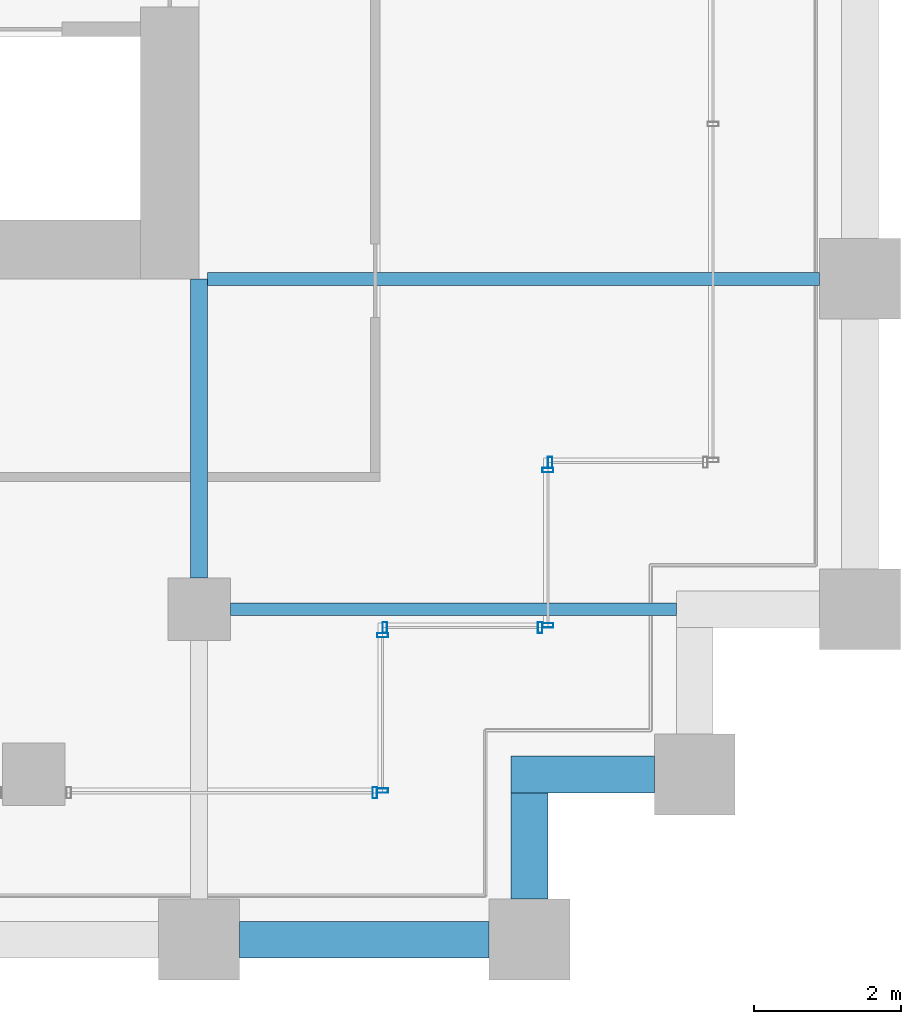
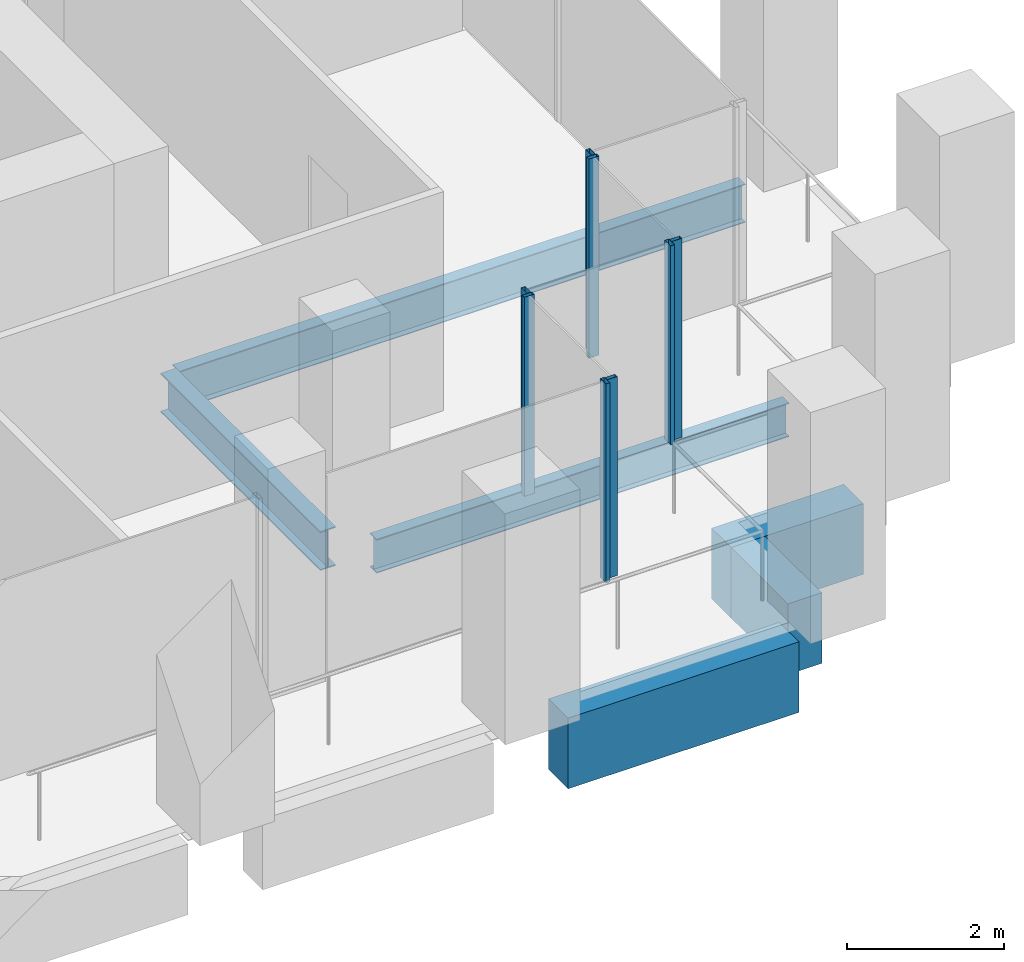
# One storey, part 38 of 54: 8 members, 6 beams, 5 elements without a shape of their own.
"""IFC4 building model written with IfcOpenShell, lengths in metres."""

from ifc_helpers import new_model, si_unit, direction, frame, origin, origin_2d, place, context, subcontext, project, spatial, rectangle, hollow_rectangle, i_section, extrude, material, material_profile, profile_set, type_object, element, aggregate, save


model = new_model("IFC4")

# Units and contexts
model_context = context("Model", 3, precision=1e-05, world=origin(), true_north=direction((0.0, 1.0)))
body_context = subcontext(model_context, "Body", "Model", "MODEL_VIEW")
ifc_project = project(units=[si_unit("LENGTHUNIT", "METRE"), si_unit("AREAUNIT", "SQUARE_METRE"), si_unit("VOLUMEUNIT", "CUBIC_METRE"), si_unit("PLANEANGLEUNIT", "RADIAN"), si_unit("MASSUNIT", "GRAM", prefix="KILO")], contexts=[model_context])

# Site, building, storey
site_placement = place(None, origin())
site = spatial("IfcSite", under=ifc_project, at=site_placement, CompositionType="ELEMENT")
building_placement = place(site_placement, origin())
building = spatial("IfcBuilding", under=site, at=building_placement, Name="Altepetl Exchange Towers", CompositionType="ELEMENT")
storey_placement = place(building_placement, frame((0.0, 0.0, 58.199951171875)))
storey = spatial("IfcBuildingStorey", under=building, at=storey_placement, Name="L13", CompositionType="ELEMENT", Elevation=58.199951171875)

# Beams
ifc_material_1 = material(Name="Steel S355", Category="steel")
ifc_material_profile_1 = material_profile(ifc_material_1, i_section(OverallWidth=0.166015625, OverallDepth=0.529052734375, WebThickness=0.009765625, FlangeThickness=0.013671875, at=origin_2d()), Name="W21X50")
ifc_profile_set_1 = profile_set([ifc_material_profile_1], Name="Steel S355")
beam_type_1 = type_object("IfcBeamType", Name="Floor beam W21X50", PredefinedType="BEAM", material=ifc_profile_set_1)
beam_1_placement = place(storey_placement, frame((117.425048828125, 31.5, -0.41455078125), z_axis=(1.0, 0.0, 0.0), x_axis=(0.0, 1.0, 0.0)))
element("IfcBeam", 1, at=beam_1_placement, inside=storey, type_object=beam_type_1, Name="bm:B:L13:004", PredefinedType="BEAM", context=body_context, shape_type="SweptSolid", body=[
    extrude(i_section(OverallWidth=0.166015625, OverallDepth=0.529052734375, WebThickness=0.009765625, FlangeThickness=0.013671875, at=origin_2d()), origin(), (0.0, 0.0, 1.0), 6.074951171875),
])
ifc_material_profile_2 = material_profile(ifc_material_1, i_section(OverallWidth=0.177978515625, OverallDepth=0.59912109375, WebThickness=0.010009765625, FlangeThickness=0.0126953125, at=origin_2d()), Name="W24X55")
ifc_profile_set_2 = profile_set([ifc_material_profile_2], Name="Steel S355")
beam_type_2 = type_object("IfcBeamType", Name="Floor beam W24X55", PredefinedType="BEAM", material=ifc_profile_set_2)
beam_2_placement = place(storey_placement, frame((117.114013671875, 36.0, -0.449462890625), z_axis=(1.0, 0.0, 0.0), x_axis=(0.0, 1.0, 0.0)))
element("IfcBeam", 2, at=beam_2_placement, inside=storey, type_object=beam_type_2, Name="bm:B:L13:005", PredefinedType="BEAM", context=body_context, shape_type="SweptSolid", body=[
    extrude(i_section(OverallWidth=0.177978515625, OverallDepth=0.59912109375, WebThickness=0.010009765625, FlangeThickness=0.0126953125, at=origin_2d()), origin(), (0.0, 0.0, 1.0), 8.3359375),
])
ifc_material_profile_3 = material_profile(ifc_material_1, i_section(OverallWidth=0.22802734375, OverallDepth=0.60791015625, WebThickness=0.01123046875, FlangeThickness=0.017333984375, at=origin_2d()), Name="W24X76")
ifc_profile_set_3 = profile_set([ifc_material_profile_3], Name="Steel S355")
beam_type_3 = type_object("IfcBeamType", Name="Girder W24X76", PredefinedType="BEAM", material=ifc_profile_set_3)
beam_3_placement = place(storey_placement, frame((117.0, 36.0, -0.453857421875), z_axis=(0.0, -1.0, 0.0), x_axis=(1.0, 0.0, 0.0)))
element("IfcBeam", 3, at=beam_3_placement, inside=storey, type_object=beam_type_3, Name="gd:B:L13:004", PredefinedType="BEAM", context=body_context, shape_type="SweptSolid", body=[
    extrude(i_section(OverallWidth=0.22802734375, OverallDepth=0.60791015625, WebThickness=0.01123046875, FlangeThickness=0.017333984375, at=origin_2d()), origin(), (0.0, 0.0, 1.0), 4.074951171875),
])

# Curtain wall, member
ifc_material_2 = material(Name="Aluminium 6063-T6 glazing", Category="aluminium")
curtain_wall_type = type_object("IfcCurtainWallType", Name="Loggia glazing system", PredefinedType="NOTDEFINED", material=ifc_material_2)
curtain_wall_1_placement = place(storey_placement, origin())
curtain_wall_1 = element("IfcCurtainWall", 4, at=curtain_wall_1_placement, inside=storey, type_object=curtain_wall_type, Name="CW1 run", PredefinedType="NOTDEFINED")
ifc_material_3 = material(Name="Aluminium 6063-T6", Category="aluminium")
ifc_material_profile_4 = material_profile(ifc_material_3, hollow_rectangle(XDim=0.06005859375, YDim=0.14990234375, WallThickness=0.0029296875, at=origin_2d()), Name="Mullion 60x150 aluminium")
ifc_profile_set_4 = profile_set([ifc_material_profile_4], Name="Aluminium 6063-T6")
member_type = type_object("IfcMemberType", Name="Mullion 60x150 aluminium", PredefinedType="MULLION", material=ifc_profile_set_4)
member_1_placement = place(storey_placement, frame((119.39501953125, 29.0, 0.0)))
member_1 = element("IfcMember", 5, at=member_1_placement, type_object=member_type, Name="MU1 mullion", PredefinedType="MULLION", context=body_context, shape_type="SweptSolid", body=[
    extrude(hollow_rectangle(XDim=0.06005859375, YDim=0.14990234375, WallThickness=0.0029296875, at=origin_2d()), origin(), (0.0, 0.0, 1.0), 3.10009765625),
])
aggregate(curtain_wall_1, [member_1])

# Curtain wall, members
curtain_wall_2_placement = place(storey_placement, origin())
curtain_wall_2 = element("IfcCurtainWall", 6, at=curtain_wall_2_placement, inside=storey, type_object=curtain_wall_type, Name="CW1 run", PredefinedType="NOTDEFINED")
member_2_placement = place(storey_placement, frame((119.5, 29.030029296875, 0.0), z_axis=(0.0, 0.0, 1.0), x_axis=(0.0, 1.0, 0.0)))
member_2 = element("IfcMember", 7, at=member_2_placement, type_object=member_type, Name="MU1 mullion", PredefinedType="MULLION", context=body_context, shape_type="SweptSolid", body=[
    extrude(hollow_rectangle(XDim=0.06005859375, YDim=0.14990234375, WallThickness=0.0029296875, at=origin_2d()), origin(), (0.0, 0.0, 1.0), 3.10009765625),
])
member_3_placement = place(storey_placement, frame((119.5, 31.14501953125, 0.0), z_axis=(0.0, 0.0, 1.0), x_axis=(0.0, 1.0, 0.0)))
member_3 = element("IfcMember", 8, at=member_3_placement, type_object=member_type, Name="MU1 mullion", PredefinedType="MULLION", context=body_context, shape_type="SweptSolid", body=[
    extrude(hollow_rectangle(XDim=0.06005859375, YDim=0.14990234375, WallThickness=0.0029296875, at=origin_2d()), origin(), (0.0, 0.0, 1.0), 3.10009765625),
])
aggregate(curtain_wall_2, [member_2, member_3])

curtain_wall_3_placement = place(storey_placement, origin())
curtain_wall_3 = element("IfcCurtainWall", 9, at=curtain_wall_3_placement, inside=storey, type_object=curtain_wall_type, Name="CW1 run", PredefinedType="NOTDEFINED")
member_4_placement = place(storey_placement, frame((119.530029296875, 31.25, 0.0)))
member_4 = element("IfcMember", 10, at=member_4_placement, type_object=member_type, Name="MU1 mullion", PredefinedType="MULLION", context=body_context, shape_type="SweptSolid", body=[
    extrude(hollow_rectangle(XDim=0.06005859375, YDim=0.14990234375, WallThickness=0.0029296875, at=origin_2d()), origin(), (0.0, 0.0, 1.0), 3.10009765625),
])
member_5_placement = place(storey_placement, frame((121.64501953125, 31.25, 0.0)))
member_5 = element("IfcMember", 11, at=member_5_placement, type_object=member_type, Name="MU1 mullion", PredefinedType="MULLION", context=body_context, shape_type="SweptSolid", body=[
    extrude(hollow_rectangle(XDim=0.06005859375, YDim=0.14990234375, WallThickness=0.0029296875, at=origin_2d()), origin(), (0.0, 0.0, 1.0), 3.10009765625),
])
aggregate(curtain_wall_3, [member_4, member_5])

curtain_wall_4_placement = place(storey_placement, origin())
curtain_wall_4 = element("IfcCurtainWall", 12, at=curtain_wall_4_placement, inside=storey, type_object=curtain_wall_type, Name="CW1 run", PredefinedType="NOTDEFINED")
member_6_placement = place(storey_placement, frame((121.75, 31.280029296875, 0.0), z_axis=(0.0, 0.0, 1.0), x_axis=(0.0, 1.0, 0.0)))
member_6 = element("IfcMember", 13, at=member_6_placement, type_object=member_type, Name="MU1 mullion", PredefinedType="MULLION", context=body_context, shape_type="SweptSolid", body=[
    extrude(hollow_rectangle(XDim=0.06005859375, YDim=0.14990234375, WallThickness=0.0029296875, at=origin_2d()), origin(), (0.0, 0.0, 1.0), 3.10009765625),
])
member_7_placement = place(storey_placement, frame((121.75, 33.39501953125, 0.0), z_axis=(0.0, 0.0, 1.0), x_axis=(0.0, 1.0, 0.0)))
member_7 = element("IfcMember", 14, at=member_7_placement, type_object=member_type, Name="MU1 mullion", PredefinedType="MULLION", context=body_context, shape_type="SweptSolid", body=[
    extrude(hollow_rectangle(XDim=0.06005859375, YDim=0.14990234375, WallThickness=0.0029296875, at=origin_2d()), origin(), (0.0, 0.0, 1.0), 3.10009765625),
])
aggregate(curtain_wall_4, [member_6, member_7])

# Curtain wall, member
curtain_wall_5_placement = place(storey_placement, origin())
curtain_wall_5 = element("IfcCurtainWall", 15, at=curtain_wall_5_placement, inside=storey, type_object=curtain_wall_type, Name="CW1 run", PredefinedType="NOTDEFINED")
member_8_placement = place(storey_placement, frame((121.780029296875, 33.5, 0.0)))
member_8 = element("IfcMember", 16, at=member_8_placement, type_object=member_type, Name="MU1 mullion", PredefinedType="MULLION", context=body_context, shape_type="SweptSolid", body=[
    extrude(hollow_rectangle(XDim=0.06005859375, YDim=0.14990234375, WallThickness=0.0029296875, at=origin_2d()), origin(), (0.0, 0.0, 1.0), 3.10009765625),
])
aggregate(curtain_wall_5, [member_8])

# Beams
ifc_material_4 = material(Name="Concrete C50/60 precast with cantera blanca facing", Category="concrete")
ifc_material_profile_5 = material_profile(ifc_material_4, rectangle(XDim=0.5, YDim=1.10009765625, at=origin_2d()), Name="500 x 1100")
ifc_profile_set_5 = profile_set([ifc_material_profile_5], Name="Concrete C50/60 precast with cantera blanca facing")
beam_type_4 = type_object("IfcBeamType", Name="Spandrel beam 500x1100 cantera blanca", PredefinedType="SPANDREL", material=ifc_profile_set_5)
beam_4_placement = place(storey_placement, frame((117.550048828125, 27.0, -0.699951171875), z_axis=(1.0, 0.0, 0.0), x_axis=(0.0, 1.0, 0.0)))
element("IfcBeam", 17, at=beam_4_placement, inside=storey, type_object=beam_type_4, Name="sp:B:L13:004", PredefinedType="SPANDREL", context=body_context, shape_type="SweptSolid", body=[
    extrude(rectangle(XDim=0.5, YDim=1.10009765625, at=origin_2d()), origin(), (0.0, 0.0, 1.0), 3.39990234375),
])
beam_5_placement = place(storey_placement, frame((121.5, 27.550048828125, -0.699951171875), z_axis=(0.0, 1.0, 0.0), x_axis=(-1.0, 0.0, 0.0)))
element("IfcBeam", 18, at=beam_5_placement, inside=storey, type_object=beam_type_4, Name="sp:B:L13:005", PredefinedType="SPANDREL", context=body_context, shape_type="SweptSolid", body=[
    extrude(rectangle(XDim=0.5, YDim=1.10009765625, at=origin_2d()), origin(), (0.0, 0.0, 1.0), 1.449951171875),
])
beam_6_placement = place(storey_placement, frame((121.25, 29.25, -0.699951171875), z_axis=(1.0, 0.0, 0.0), x_axis=(0.0, 1.0, 0.0)))
element("IfcBeam", 19, at=beam_6_placement, inside=storey, type_object=beam_type_4, Name="sp:B:L13:006", PredefinedType="SPANDREL", context=body_context, shape_type="SweptSolid", body=[
    extrude(rectangle(XDim=0.5, YDim=1.10009765625, at=origin_2d()), origin(), (0.0, 0.0, 1.0), 1.949951171875),
])

save(model, "model.ifc")
